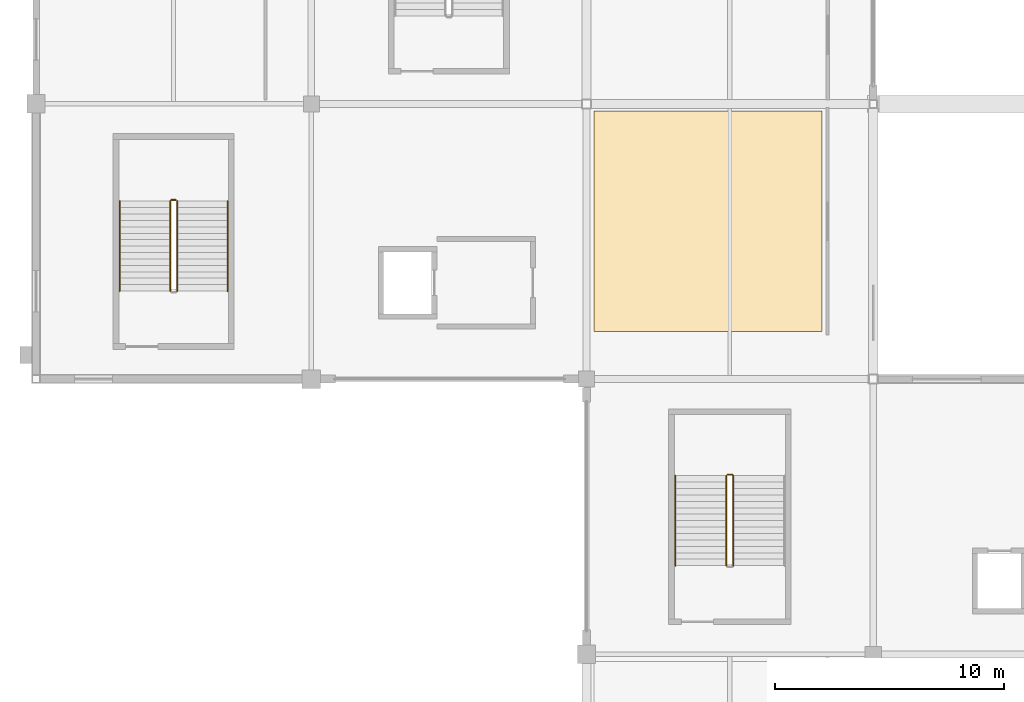
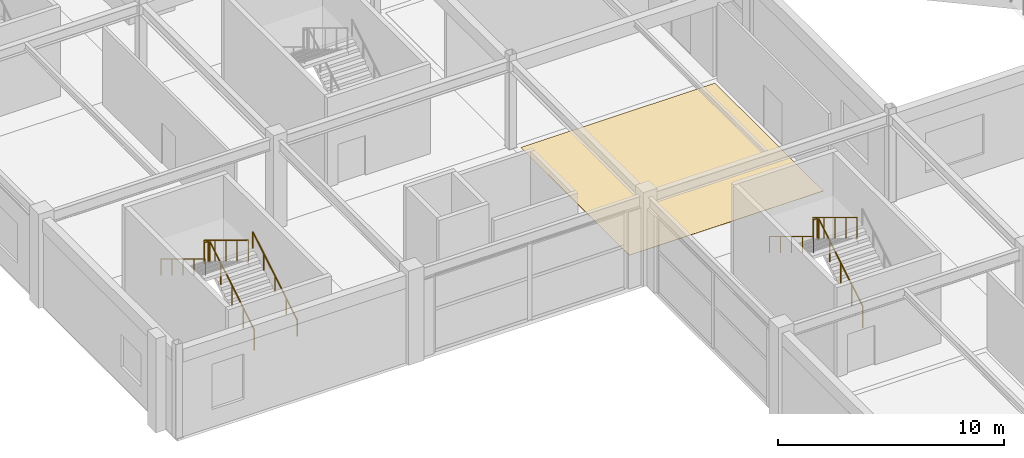
# One storey, part 104 of 128: 9 railings, 1 covering.
"""IFC4 building model written with IfcOpenShell, lengths in metres."""

from ifc_helpers import new_model, si_unit, direction, frame, origin, origin_2d, place, context, subcontext, project, spatial, polyline, circle, outline, extrude, material, layer, layer_set, type_object, element, save


model = new_model("IFC4")

# Units and contexts
model_context = context("Model", 3, precision=1e-05, world=origin(), true_north=direction((0.0, 1.0)))
body_context = subcontext(model_context, "Body", "Model", "MODEL_VIEW")
ifc_project = project(units=[si_unit("LENGTHUNIT", "METRE"), si_unit("AREAUNIT", "SQUARE_METRE"), si_unit("VOLUMEUNIT", "CUBIC_METRE"), si_unit("PLANEANGLEUNIT", "RADIAN"), si_unit("MASSUNIT", "GRAM", prefix="KILO")], contexts=[model_context])

# Site, building, storey
site_placement = place(None, origin())
site = spatial("IfcSite", under=ifc_project, at=site_placement, CompositionType="ELEMENT")
building_placement = place(site_placement, origin())
building = spatial("IfcBuilding", under=site, at=building_placement, Name="Kazenohara Klinker Stadium", CompositionType="ELEMENT")
storey_placement = place(building_placement, frame((0.0, 0.0, 15.300048828125)))
storey = spatial("IfcBuildingStorey", under=building, at=storey_placement, Name="L03", CompositionType="ELEMENT", Elevation=15.300048828125)

# Covering
ifc_material_1 = material(Name="Cushioned EPDM sports rubber flooring", Category="rubber")
ifc_layer_1 = layer(ifc_material_1, 0.014892578125)
ifc_layer_set_1 = layer_set([ifc_layer_1], Name="Cushioned EPDM sports rubber flooring")
covering_type = type_object("IfcCoveringType", Name="COV-FLR-02", PredefinedType="FLOORING", material=ifc_layer_set_1)
covering_placement = place(storey_placement, origin())
element("IfcCovering", 1, at=covering_placement, inside=storey, type_object=covering_type, Name="Interior floor finish FL02 Upper Stand First-Aid Medical Clinic L03-0203A", PredefinedType="FLOORING", context=body_context, shape_type="SweptSolid", body=[
    extrude(outline(polyline([(24.330078125, 38.070068359375), (34.27001953125, 38.070068359375), (34.27001953125, 47.68994140625), (24.330078125, 47.68994140625), (24.330078125, 38.070068359375)])), origin(), (0.0, 0.0, 1.0), 0.014892578125),
])

# Railings
ifc_material_2 = material(Name="Brushed stainless steel 304 handrail", Category="steel")
ifc_layer_2 = layer(ifc_material_2, 0.050048828125)
ifc_layer_set_2 = layer_set([ifc_layer_2], Name="Brushed stainless steel 304 handrail")
railing_type_1 = type_object("IfcRailingType", Name="RL-HND-900", PredefinedType="HANDRAIL", material=ifc_layer_set_2)
railing_1_placement = place(storey_placement, frame((8.35009765625, 39.840087890625, 0.169921875)))
element("IfcRailing", 2, at=railing_1_placement, inside=storey, type_object=railing_type_1, Name="L03 ST01 stair handrail 1", PredefinedType="HANDRAIL", context=body_context, shape_type="SweptSolid", body=[
    extrude(circle(Radius=0.02392578125, at=origin_2d()), frame((0.0, 0.0, 0.8759765625), z_axis=(0.0, 0.854770645689, 0.519005918337), x_axis=(-1.0, 0.0, 0.0)), (0.0, 0.0, 1.0), 4.5859375),
    extrude(circle(Radius=0.02099609375, at=origin_2d()), origin(), (0.0, 0.0, 1.0), 0.851806640625),
    extrude(circle(Radius=0.02099609375, at=origin_2d()), frame((0.0, 0.97998046875, 0.594970703125)), (0.0, 0.0, 1.0), 0.851806640625),
    extrude(circle(Radius=0.02099609375, at=origin_2d()), frame((0.0, 1.9599609375, 1.18994140625)), (0.0, 0.0, 1.0), 0.851806640625),
    extrude(circle(Radius=0.02099609375, at=origin_2d()), frame((0.0, 2.93994140625, 1.78515625)), (0.0, 0.0, 1.0), 0.851806640625),
    extrude(circle(Radius=0.02099609375, at=origin_2d()), frame((0.0, 3.919921875, 2.380126953125)), (0.0, 0.0, 1.0), 0.851806640625),
])
for number, where, name in (
    (3, (3.64990234375, 43.760009765625, 2.719970703125), "L03 ST01 stair handrail 2"),
    (4, (27.8701171875, 31.7900390625, 2.719970703125), "L03 ST07 stair handrail 2"),
):
    element("IfcRailing", number, at=place(storey_placement, frame(where)), inside=storey, type_object=railing_type_1, Name=name, PredefinedType="HANDRAIL", context=body_context, shape_type="SweptSolid", body=[
        extrude(circle(Radius=0.02392578125, at=origin_2d()), frame((0.0, 0.0, 0.8759765625), z_axis=(0.0, -0.854794262968, 0.518967020143), x_axis=(1.0, 0.0, 0.0)), (0.0, 0.0, 1.0), 4.585693359375),
        extrude(circle(Radius=0.02099609375, at=origin_2d()), origin(), (0.0, 0.0, 1.0), 0.851806640625),
        extrude(circle(Radius=0.02099609375, at=origin_2d()), frame((0.0, -0.97998046875, 0.594970703125)), (0.0, 0.0, 1.0), 0.851806640625),
        extrude(circle(Radius=0.02099609375, at=origin_2d()), frame((0.0, -1.9599609375, 1.18994140625)), (0.0, 0.0, 1.0), 0.851806640625),
        extrude(circle(Radius=0.02099609375, at=origin_2d()), frame((0.0, -2.93994140625, 1.784912109375)), (0.0, 0.0, 1.0), 0.851806640625),
        extrude(circle(Radius=0.02099609375, at=origin_2d()), frame((0.0, -3.919921875, 2.3798828125)), (0.0, 0.0, 1.0), 0.851806640625),
    ])
ifc_material_3 = material(Name="Painted steel stairwell guardrail", Category="steel")
ifc_layer_3 = layer(ifc_material_3, 0.06005859375)
ifc_layer_set_3 = layer_set([ifc_layer_3], Name="Painted steel stairwell guardrail")
railing_type_2 = type_object("IfcRailingType", Name="RL-STG-1120", PredefinedType="GUARDRAIL", material=ifc_layer_set_3)
railing_2_placement = place(storey_placement, frame((6.14990234375, 39.840087890625, 0.169921875)))
element("IfcRailing", 5, at=railing_2_placement, inside=storey, type_object=railing_type_2, Name="L03 ST01 stair guard 1", PredefinedType="GUARDRAIL", context=body_context, shape_type="SweptSolid", body=[
    extrude(circle(Radius=0.02392578125, at=origin_2d()), frame((0.0, 0.0, 1.1259765625), z_axis=(0.0, 0.854770645689, 0.519005918337), x_axis=(-1.0, 0.0, 0.0)), (0.0, 0.0, 1.0), 4.5859375),
    extrude(circle(Radius=0.02099609375, at=origin_2d()), origin(), (0.0, 0.0, 1.0), 1.101806640625),
    extrude(circle(Radius=0.02099609375, at=origin_2d()), frame((0.0, 0.97998046875, 0.594970703125)), (0.0, 0.0, 1.0), 1.101806640625),
    extrude(circle(Radius=0.02099609375, at=origin_2d()), frame((0.0, 1.9599609375, 1.18994140625)), (0.0, 0.0, 1.0), 1.101806640625),
    extrude(circle(Radius=0.02099609375, at=origin_2d()), frame((0.0, 2.93994140625, 1.78515625)), (0.0, 0.0, 1.0), 1.101806640625),
    extrude(circle(Radius=0.02099609375, at=origin_2d()), frame((0.0, 3.919921875, 2.380126953125)), (0.0, 0.0, 1.0), 1.101806640625),
])
railing_3_placement = place(storey_placement, frame((6.10009765625, 43.81005859375, 2.550048828125)))
element("IfcRailing", 6, at=railing_3_placement, inside=storey, type_object=railing_type_2, Name="L03 ST01 stair guard 2", PredefinedType="GUARDRAIL", context=body_context, shape_type="SweptSolid", body=[
    extrude(circle(Radius=0.02392578125, at=origin_2d()), frame((0.0, 0.0, 1.1259765625), z_axis=(-1.0, 0.0, 0.0), x_axis=(0.0, -1.0, 0.0)), (0.0, 0.0, 1.0), 0.2001953125),
    extrude(circle(Radius=0.02099609375, at=origin_2d()), origin(), (0.0, 0.0, 1.0), 1.101806640625),
    extrude(circle(Radius=0.02099609375, at=origin_2d()), frame((-0.2001953125, 0.0, 0.0)), (0.0, 0.0, 1.0), 1.101806640625),
])
railing_4_placement = place(storey_placement, frame((5.85009765625, 43.760009765625, 2.719970703125)))
element("IfcRailing", 7, at=railing_4_placement, inside=storey, type_object=railing_type_2, Name="L03 ST01 stair guard 3", PredefinedType="GUARDRAIL", context=body_context, shape_type="SweptSolid", body=[
    extrude(circle(Radius=0.02392578125, at=origin_2d()), frame((0.0, 0.0, 1.1259765625), z_axis=(0.0, -0.854794262968, 0.518967020143), x_axis=(1.0, 0.0, 0.0)), (0.0, 0.0, 1.0), 4.585693359375),
    extrude(circle(Radius=0.02099609375, at=origin_2d()), origin(), (0.0, 0.0, 1.0), 1.101806640625),
    extrude(circle(Radius=0.02099609375, at=origin_2d()), frame((0.0, -0.97998046875, 0.594970703125)), (0.0, 0.0, 1.0), 1.101806640625),
    extrude(circle(Radius=0.02099609375, at=origin_2d()), frame((0.0, -1.9599609375, 1.18994140625)), (0.0, 0.0, 1.0), 1.101806640625),
    extrude(circle(Radius=0.02099609375, at=origin_2d()), frame((0.0, -2.93994140625, 1.784912109375)), (0.0, 0.0, 1.0), 1.101806640625),
    extrude(circle(Radius=0.02099609375, at=origin_2d()), frame((0.0, -3.919921875, 2.3798828125)), (0.0, 0.0, 1.0), 1.101806640625),
])
railing_5_placement = place(storey_placement, frame((30.39990234375, 27.8701171875, 0.169921875)))
element("IfcRailing", 8, at=railing_5_placement, inside=storey, type_object=railing_type_2, Name="L03 ST07 stair guard 1", PredefinedType="GUARDRAIL", context=body_context, shape_type="SweptSolid", body=[
    extrude(circle(Radius=0.02392578125, at=origin_2d()), frame((0.0, 0.0, 1.1259765625), z_axis=(0.0, 0.854770645689, 0.519005918337), x_axis=(-1.0, 0.0, 0.0)), (0.0, 0.0, 1.0), 4.5859375),
    extrude(circle(Radius=0.02099609375, at=origin_2d()), origin(), (0.0, 0.0, 1.0), 1.101806640625),
    extrude(circle(Radius=0.02099609375, at=origin_2d()), frame((0.0, 0.97998046875, 0.594970703125)), (0.0, 0.0, 1.0), 1.101806640625),
    extrude(circle(Radius=0.02099609375, at=origin_2d()), frame((0.0, 1.9599609375, 1.18994140625)), (0.0, 0.0, 1.0), 1.101806640625),
    extrude(circle(Radius=0.02099609375, at=origin_2d()), frame((0.0, 2.93994140625, 1.78515625)), (0.0, 0.0, 1.0), 1.101806640625),
    extrude(circle(Radius=0.02099609375, at=origin_2d()), frame((0.0, 3.919921875, 2.380126953125)), (0.0, 0.0, 1.0), 1.101806640625),
])
railing_6_placement = place(storey_placement, frame((30.35009765625, 31.840087890625, 2.550048828125)))
element("IfcRailing", 9, at=railing_6_placement, inside=storey, type_object=railing_type_2, Name="L03 ST07 stair guard 2", PredefinedType="GUARDRAIL", context=body_context, shape_type="SweptSolid", body=[
    extrude(circle(Radius=0.02392578125, at=origin_2d()), frame((0.0, 0.0, 1.1259765625), z_axis=(-1.0, 0.0, 0.0), x_axis=(0.0, -1.0, 0.0)), (0.0, 0.0, 1.0), 0.2001953125),
    extrude(circle(Radius=0.02099609375, at=origin_2d()), origin(), (0.0, 0.0, 1.0), 1.101806640625),
    extrude(circle(Radius=0.02099609375, at=origin_2d()), frame((-0.2001953125, 0.0, 0.0)), (0.0, 0.0, 1.0), 1.101806640625),
])
railing_7_placement = place(storey_placement, frame((30.10009765625, 31.7900390625, 2.719970703125)))
element("IfcRailing", 10, at=railing_7_placement, inside=storey, type_object=railing_type_2, Name="L03 ST07 stair guard 3", PredefinedType="GUARDRAIL", context=body_context, shape_type="SweptSolid", body=[
    extrude(circle(Radius=0.02392578125, at=origin_2d()), frame((0.0, 0.0, 1.1259765625), z_axis=(0.0, -0.854794262968, 0.518967020143), x_axis=(1.0, 0.0, 0.0)), (0.0, 0.0, 1.0), 4.585693359375),
    extrude(circle(Radius=0.02099609375, at=origin_2d()), origin(), (0.0, 0.0, 1.0), 1.101806640625),
    extrude(circle(Radius=0.02099609375, at=origin_2d()), frame((0.0, -0.97998046875, 0.594970703125)), (0.0, 0.0, 1.0), 1.101806640625),
    extrude(circle(Radius=0.02099609375, at=origin_2d()), frame((0.0, -1.9599609375, 1.18994140625)), (0.0, 0.0, 1.0), 1.101806640625),
    extrude(circle(Radius=0.02099609375, at=origin_2d()), frame((0.0, -2.93994140625, 1.784912109375)), (0.0, 0.0, 1.0), 1.101806640625),
    extrude(circle(Radius=0.02099609375, at=origin_2d()), frame((0.0, -3.919921875, 2.3798828125)), (0.0, 0.0, 1.0), 1.101806640625),
])

save(model, "model.ifc")
